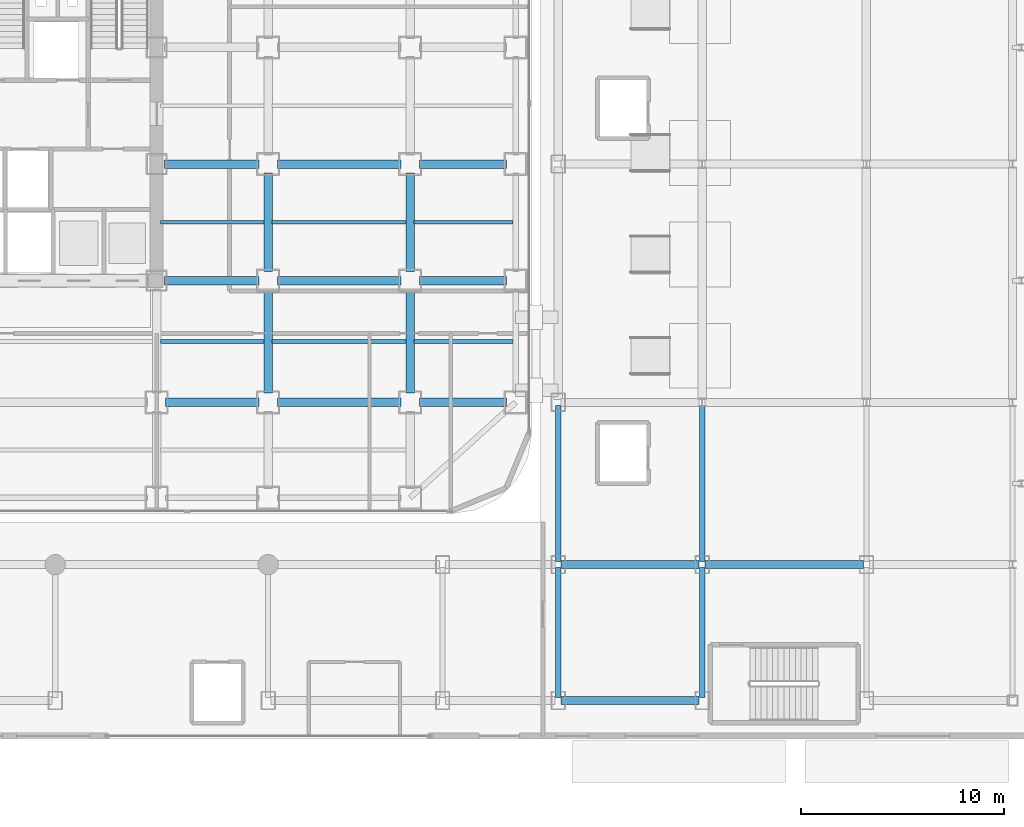
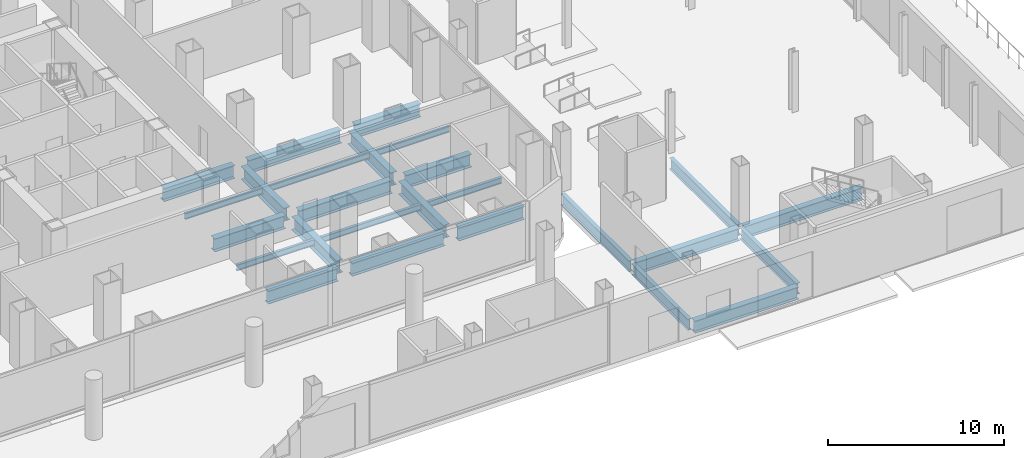
# One storey, part 10 of 31: 26 beams.
"""IFC4 building model written with IfcOpenShell, lengths in metres."""

from ifc_helpers import new_model, si_unit, direction, frame, origin, origin_2d, place, context, subcontext, project, spatial, i_section, extrude, source, transform, mapped, material, material_profile, profile_set, type_object, element, save


model = new_model("IFC4")

# Units and contexts
model_context = context("Model", 3, precision=1e-05, world=origin(), true_north=direction((0.0, 1.0)))
body_context = subcontext(model_context, "Body", "Model", "MODEL_VIEW")
ifc_project = project(units=[si_unit("LENGTHUNIT", "METRE"), si_unit("AREAUNIT", "SQUARE_METRE"), si_unit("VOLUMEUNIT", "CUBIC_METRE"), si_unit("PLANEANGLEUNIT", "RADIAN"), si_unit("MASSUNIT", "GRAM", prefix="KILO")], contexts=[model_context])

# Site, building, storey
site_placement = place(None, origin())
site = spatial("IfcSite", under=ifc_project, at=site_placement, CompositionType="ELEMENT")
building_placement = place(site_placement, origin())
building = spatial("IfcBuilding", under=site, at=building_placement, Name="Kolveth Station Tower", CompositionType="ELEMENT")
storey_placement = place(building_placement, origin())
storey = spatial("IfcBuildingStorey", under=building, at=storey_placement, Name="L00", CompositionType="ELEMENT", Elevation=0.0)

# Beams
ifc_material = material(Name="Steel S355", Category="steel")
ifc_material_profile_1 = material_profile(ifc_material, i_section(OverallWidth=0.41796875, OverallDepth=0.912109375, WebThickness=0.019287109375, FlangeThickness=0.031982421875, at=origin_2d()), Name="W920x342")
ifc_profile_set_1 = profile_set([ifc_material_profile_1], Name="Steel S355")
beam_type_1 = type_object("IfcBeamType", Name="Beam_B1", PredefinedType="BEAM", material=ifc_profile_set_1)
shared_shape_1 = source(origin(), body_context, "Body", "SweptSolid", [
    extrude(i_section(OverallWidth=0.41796875, OverallDepth=0.912109375, WebThickness=0.019287109375, FlangeThickness=0.031982421875, at=origin_2d()), origin(), (0.0, 0.0, 1.0), 4.300048828125),
])
for number, where, z_axis, x_axis, name in (
    (1, (41.449951171875, 5.5, -0.77587890625), (1.0, 0.0, 0.0), (0.0, 1.0, 0.0), "L00 Primary Girder BM-L00-GY55-7"),
    (2, (41.449951171875, 11.5, -0.77587890625), (1.0, 0.0, 0.0), (0.0, 1.0, 0.0), "L00 Primary Girder BM-L00-GY115-7"),
    (3, (41.449951171875, 17.25, -0.77587890625), (1.0, 0.0, 0.0), (0.0, 1.0, 0.0), "L00 Primary Girder BM-L00-GY172-7"),
):
    element("IfcBeam", number, at=place(storey_placement, frame(where, z_axis=z_axis, x_axis=x_axis)), inside=storey, type_object=beam_type_1, Name=name, PredefinedType="BEAM", context=body_context, shape_type="MappedRepresentation", body=[
        mapped(shared_shape_1, transform((0.0, 0.0, 0.0), x_axis=(1.0, 0.0, 0.0), y_axis=(0.0, 1.0, 0.0), z_axis=(0.0, 0.0, 1.0), scale=1.0)),
    ])
shared_shape_2 = source(origin(), body_context, "Body", "SweptSolid", [
    extrude(i_section(OverallWidth=0.41796875, OverallDepth=0.912109375, WebThickness=0.019287109375, FlangeThickness=0.031982421875, at=origin_2d()), origin(), (0.0, 0.0, 1.0), 6.10009765625),
])
for number, where, z_axis, x_axis, name in (
    (4, (34.449951171875, 5.5, -0.77587890625), (1.0, 0.0, 0.0), (0.0, 1.0, 0.0), "L00 Primary Girder BM-L00-GY55-6"),
    (5, (34.449951171875, 11.5, -0.77587890625), (1.0, 0.0, 0.0), (0.0, 1.0, 0.0), "L00 Primary Girder BM-L00-GY115-6"),
    (6, (34.449951171875, 17.25, -0.77587890625), (1.0, 0.0, 0.0), (0.0, 1.0, 0.0), "L00 Primary Girder BM-L00-GY172-6"),
):
    element("IfcBeam", number, at=place(storey_placement, frame(where, z_axis=z_axis, x_axis=x_axis)), inside=storey, type_object=beam_type_1, Name=name, PredefinedType="BEAM", context=body_context, shape_type="MappedRepresentation", body=[
        mapped(shared_shape_2, transform((0.0, 0.0, 0.0), x_axis=(1.0, 0.0, 0.0), y_axis=(0.0, 1.0, 0.0), z_axis=(0.0, 0.0, 1.0), scale=1.0)),
    ])
shared_shape_3 = source(origin(), body_context, "Body", "SweptSolid", [
    extrude(i_section(OverallWidth=0.41796875, OverallDepth=0.912109375, WebThickness=0.019287109375, FlangeThickness=0.031982421875, at=origin_2d()), origin(), (0.0, 0.0, 1.0), 4.60009765625),
])
beam_1_placement = place(storey_placement, frame((28.949951171875, 5.5, -0.77587890625), z_axis=(1.0, 0.0, 0.0), x_axis=(0.0, 1.0, 0.0)))
element("IfcBeam", 7, at=beam_1_placement, inside=storey, type_object=beam_type_1, Name="L00 Primary Girder BM-L00-GY55-5", PredefinedType="BEAM", context=body_context, shape_type="MappedRepresentation", body=[
    mapped(shared_shape_3, transform((0.0, 0.0, 0.0), x_axis=(1.0, 0.0, 0.0), y_axis=(0.0, 1.0, 0.0), z_axis=(0.0, 0.0, 1.0), scale=1.0)),
])
shared_shape_4 = source(origin(), body_context, "Body", "SweptSolid", [
    extrude(i_section(OverallWidth=0.41796875, OverallDepth=0.912109375, WebThickness=0.019287109375, FlangeThickness=0.031982421875, at=origin_2d()), origin(), (0.0, 0.0, 1.0), 4.650146484375),
])
for number, where, z_axis, x_axis, name in (
    (8, (28.89990234375, 11.5, -0.77587890625), (1.0, 0.0, 0.0), (0.0, 1.0, 0.0), "L00 Primary Girder BM-L00-GY115-5"),
    (9, (28.89990234375, 17.25, -0.77587890625), (1.0, 0.0, 0.0), (0.0, 1.0, 0.0), "L00 Primary Girder BM-L00-GY172-5"),
):
    element("IfcBeam", number, at=place(storey_placement, frame(where, z_axis=z_axis, x_axis=x_axis)), inside=storey, type_object=beam_type_1, Name=name, PredefinedType="BEAM", context=body_context, shape_type="MappedRepresentation", body=[
        mapped(shared_shape_4, transform((0.0, 0.0, 0.0), x_axis=(1.0, 0.0, 0.0), y_axis=(0.0, 1.0, 0.0), z_axis=(0.0, 0.0, 1.0), scale=1.0)),
    ])
shared_shape_5 = source(origin(), body_context, "Body", "SweptSolid", [
    extrude(i_section(OverallWidth=0.41796875, OverallDepth=0.912109375, WebThickness=0.019287109375, FlangeThickness=0.031982421875, at=origin_2d()), origin(), (0.0, 0.0, 1.0), 5.10009765625),
])
for number, where, z_axis, x_axis, name in (
    (10, (34.0, 5.949951171875, -0.77587890625), (0.0, 1.0, 0.0), (-1.0, 0.0, 0.0), "L00 Primary Girder BM-L00-GX340-2"),
    (11, (41.0, 5.949951171875, -0.77587890625), (0.0, 1.0, 0.0), (-1.0, 0.0, 0.0), "L00 Primary Girder BM-L00-GX410-2"),
):
    element("IfcBeam", number, at=place(storey_placement, frame(where, z_axis=z_axis, x_axis=x_axis)), inside=storey, type_object=beam_type_1, Name=name, PredefinedType="BEAM", context=body_context, shape_type="MappedRepresentation", body=[
        mapped(shared_shape_5, transform((0.0, 0.0, 0.0), x_axis=(1.0, 0.0, 0.0), y_axis=(0.0, 1.0, 0.0), z_axis=(0.0, 0.0, 1.0), scale=1.0)),
    ])
shared_shape_6 = source(origin(), body_context, "Body", "SweptSolid", [
    extrude(i_section(OverallWidth=0.41796875, OverallDepth=0.912109375, WebThickness=0.019287109375, FlangeThickness=0.031982421875, at=origin_2d()), origin(), (0.0, 0.0, 1.0), 4.85009765625),
])
for number, where, z_axis, x_axis, name in (
    (12, (34.0, 11.949951171875, -0.77587890625), (0.0, 1.0, 0.0), (-1.0, 0.0, 0.0), "L00 Primary Girder BM-L00-GX340-3"),
    (13, (41.0, 11.949951171875, -0.77587890625), (0.0, 1.0, 0.0), (-1.0, 0.0, 0.0), "L00 Primary Girder BM-L00-GX410-3"),
):
    element("IfcBeam", number, at=place(storey_placement, frame(where, z_axis=z_axis, x_axis=x_axis)), inside=storey, type_object=beam_type_1, Name=name, PredefinedType="BEAM", context=body_context, shape_type="MappedRepresentation", body=[
        mapped(shared_shape_6, transform((0.0, 0.0, 0.0), x_axis=(1.0, 0.0, 0.0), y_axis=(0.0, 1.0, 0.0), z_axis=(0.0, 0.0, 1.0), scale=1.0)),
    ])
ifc_material_profile_2 = material_profile(ifc_material, i_section(OverallWidth=0.177978515625, OverallDepth=0.406982421875, WebThickness=0.0078125, FlangeThickness=0.0126953125, at=origin_2d()), Name="W410x60")
ifc_profile_set_2 = profile_set([ifc_material_profile_2], Name="Steel S355")
beam_type_2 = type_object("IfcBeamType", Name="Beam_J1", PredefinedType="JOIST", material=ifc_profile_set_2)
shared_shape_7 = source(origin(), body_context, "Body", "SweptSolid", [
    extrude(i_section(OverallWidth=0.177978515625, OverallDepth=0.406982421875, WebThickness=0.0078125, FlangeThickness=0.0126953125, at=origin_2d()), origin(), (0.0, 0.0, 1.0), 4.872314453125),
])
for number, where, z_axis, x_axis, name in (
    (14, (41.195068359375, 8.5, -0.5234375), (1.0, 0.0, 0.0), (0.0, 1.0, 0.0), "L00 Secondary Joist JST-L00-7-2"),
    (15, (41.195068359375, 14.375, -0.5234375), (1.0, 0.0, 0.0), (0.0, 1.0, 0.0), "L00 Secondary Joist JST-L00-7-3"),
):
    element("IfcBeam", number, at=place(storey_placement, frame(where, z_axis=z_axis, x_axis=x_axis)), inside=storey, type_object=beam_type_2, Name=name, PredefinedType="JOIST", context=body_context, shape_type="MappedRepresentation", body=[
        mapped(shared_shape_7, transform((0.0, 0.0, 0.0), x_axis=(1.0, 0.0, 0.0), y_axis=(0.0, 1.0, 0.0), z_axis=(0.0, 0.0, 1.0), scale=1.0)),
    ])
shared_shape_8 = source(origin(), body_context, "Body", "SweptSolid", [
    extrude(i_section(OverallWidth=0.177978515625, OverallDepth=0.406982421875, WebThickness=0.0078125, FlangeThickness=0.0126953125, at=origin_2d()), origin(), (0.0, 0.0, 1.0), 6.60986328125),
])
for number, where, z_axis, x_axis, name in (
    (16, (34.195068359375, 8.5, -0.5234375), (1.0, 0.0, 0.0), (0.0, 1.0, 0.0), "L00 Secondary Joist JST-L00-6-2"),
    (17, (34.195068359375, 14.375, -0.5234375), (1.0, 0.0, 0.0), (0.0, 1.0, 0.0), "L00 Secondary Joist JST-L00-6-3"),
):
    element("IfcBeam", number, at=place(storey_placement, frame(where, z_axis=z_axis, x_axis=x_axis)), inside=storey, type_object=beam_type_2, Name=name, PredefinedType="JOIST", context=body_context, shape_type="MappedRepresentation", body=[
        mapped(shared_shape_8, transform((0.0, 0.0, 0.0), x_axis=(1.0, 0.0, 0.0), y_axis=(0.0, 1.0, 0.0), z_axis=(0.0, 0.0, 1.0), scale=1.0)),
    ])
shared_shape_9 = source(origin(), body_context, "Body", "SweptSolid", [
    extrude(i_section(OverallWidth=0.177978515625, OverallDepth=0.406982421875, WebThickness=0.0078125, FlangeThickness=0.0126953125, at=origin_2d()), origin(), (0.0, 0.0, 1.0), 5.10986328125),
])
for number, where, z_axis, x_axis, name in (
    (18, (28.695068359375, 8.5, -0.5234375), (1.0, 0.0, 0.0), (0.0, 1.0, 0.0), "L00 Secondary Joist JST-L00-5-2"),
    (19, (28.695068359375, 14.375, -0.5234375), (1.0, 0.0, 0.0), (0.0, 1.0, 0.0), "L00 Secondary Joist JST-L00-5-3"),
):
    element("IfcBeam", number, at=place(storey_placement, frame(where, z_axis=z_axis, x_axis=x_axis)), inside=storey, type_object=beam_type_2, Name=name, PredefinedType="JOIST", context=body_context, shape_type="MappedRepresentation", body=[
        mapped(shared_shape_9, transform((0.0, 0.0, 0.0), x_axis=(1.0, 0.0, 0.0), y_axis=(0.0, 1.0, 0.0), z_axis=(0.0, 0.0, 1.0), scale=1.0)),
    ])
ifc_material_profile_3 = material_profile(ifc_material, i_section(OverallWidth=0.40087890625, OverallDepth=0.85107421875, WebThickness=0.01611328125, FlangeThickness=0.025390625, at=origin_2d()), Name="W840x226")
ifc_profile_set_3 = profile_set([ifc_material_profile_3], Name="Steel S355")
beam_type_3 = type_object("IfcBeamType", Name="Beam_B2", PredefinedType="BEAM", material=ifc_profile_set_3)
shared_shape_10 = source(origin(), body_context, "Body", "SweptSolid", [
    extrude(i_section(OverallWidth=0.40087890625, OverallDepth=0.85107421875, WebThickness=0.01611328125, FlangeThickness=0.025390625, at=origin_2d()), origin(), (0.0, 0.0, 1.0), 6.800048828125),
])
for number, where, z_axis, x_axis, name in (
    (20, (48.449951171875, -9.199951171875, -0.74560546875), (1.0, 0.0, 0.0), (0.0, 1.0, 0.0), "L00 Station Portal Girder SBM-L00-EW-1-1"),
    (21, (48.449951171875, -2.5, -0.74560546875), (1.0, 0.0, 0.0), (0.0, 1.0, 0.0), "L00 Station Portal Girder SBM-L00-EW-2-1"),
):
    element("IfcBeam", number, at=place(storey_placement, frame(where, z_axis=z_axis, x_axis=x_axis)), inside=storey, type_object=beam_type_3, Name=name, PredefinedType="BEAM", context=body_context, shape_type="MappedRepresentation", body=[
        mapped(shared_shape_10, transform((0.0, 0.0, 0.0), x_axis=(1.0, 0.0, 0.0), y_axis=(0.0, 1.0, 0.0), z_axis=(0.0, 0.0, 1.0), scale=1.0)),
    ])
shared_shape_11 = source(origin(), body_context, "Body", "SweptSolid", [
    extrude(i_section(OverallWidth=0.40087890625, OverallDepth=0.85107421875, WebThickness=0.01611328125, FlangeThickness=0.025390625, at=origin_2d()), origin(), (0.0, 0.0, 1.0), 7.800048828125),
])
beam_2_placement = place(storey_placement, frame((55.550048828125, -2.5, -0.74560546875), z_axis=(1.0, 0.0, 0.0), x_axis=(0.0, 1.0, 0.0)))
element("IfcBeam", 22, at=beam_2_placement, inside=storey, type_object=beam_type_3, Name="L00 Station Portal Girder SBM-L00-EW-2-2", PredefinedType="BEAM", context=body_context, shape_type="MappedRepresentation", body=[
    mapped(shared_shape_11, transform((0.0, 0.0, 0.0), x_axis=(1.0, 0.0, 0.0), y_axis=(0.0, 1.0, 0.0), z_axis=(0.0, 0.0, 1.0), scale=1.0)),
])
ifc_material_profile_4 = material_profile(ifc_material, i_section(OverallWidth=0.26708984375, OverallDepth=0.76611328125, WebThickness=0.014892578125, FlangeThickness=0.023681640625, at=origin_2d()), Name="W760x185")
ifc_profile_set_4 = profile_set([ifc_material_profile_4], Name="Steel S355")
beam_type_4 = type_object("IfcBeamType", Name="Beam_B3", PredefinedType="BEAM", material=ifc_profile_set_4)
shared_shape_12 = source(origin(), body_context, "Body", "SweptSolid", [
    extrude(i_section(OverallWidth=0.26708984375, OverallDepth=0.76611328125, WebThickness=0.014892578125, FlangeThickness=0.023681640625, at=origin_2d()), origin(), (0.0, 0.0, 1.0), 6.400146484375),
])
for number, where, z_axis, x_axis, name in (
    (23, (48.300048828125, -9.050048828125, -0.702880859375), (0.0, 1.0, 0.0), (-1.0, 0.0, 0.0), "L00 Station Spine Girder SBM-L00-NS-1-1"),
    (24, (55.39990234375, -9.050048828125, -0.702880859375), (0.0, 1.0, 0.0), (-1.0, 0.0, 0.0), "L00 Station Spine Girder SBM-L00-NS-2-1"),
):
    element("IfcBeam", number, at=place(storey_placement, frame(where, z_axis=z_axis, x_axis=x_axis)), inside=storey, type_object=beam_type_4, Name=name, PredefinedType="BEAM", context=body_context, shape_type="MappedRepresentation", body=[
        mapped(shared_shape_12, transform((0.0, 0.0, 0.0), x_axis=(1.0, 0.0, 0.0), y_axis=(0.0, 1.0, 0.0), z_axis=(0.0, 0.0, 1.0), scale=1.0)),
    ])
shared_shape_13 = source(origin(), body_context, "Body", "SweptSolid", [
    extrude(i_section(OverallWidth=0.26708984375, OverallDepth=0.76611328125, WebThickness=0.014892578125, FlangeThickness=0.023681640625, at=origin_2d()), origin(), (0.0, 0.0, 1.0), 7.7001953125),
])
for number, where, z_axis, x_axis, name in (
    (25, (48.300048828125, -2.35009765625, -0.702880859375), (0.0, 1.0, 0.0), (-1.0, 0.0, 0.0), "L00 Station Spine Girder SBM-L00-NS-1-2"),
    (26, (55.39990234375, -2.35009765625, -0.702880859375), (0.0, 1.0, 0.0), (-1.0, 0.0, 0.0), "L00 Station Spine Girder SBM-L00-NS-2-2"),
):
    element("IfcBeam", number, at=place(storey_placement, frame(where, z_axis=z_axis, x_axis=x_axis)), inside=storey, type_object=beam_type_4, Name=name, PredefinedType="BEAM", context=body_context, shape_type="MappedRepresentation", body=[
        mapped(shared_shape_13, transform((0.0, 0.0, 0.0), x_axis=(1.0, 0.0, 0.0), y_axis=(0.0, 1.0, 0.0), z_axis=(0.0, 0.0, 1.0), scale=1.0)),
    ])

save(model, "model.ifc")
